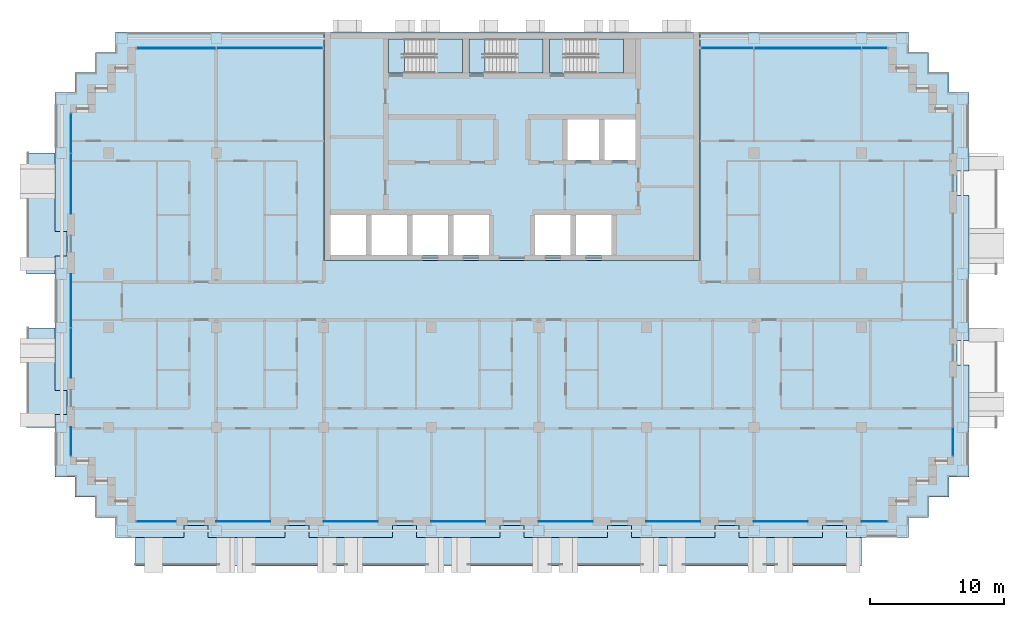
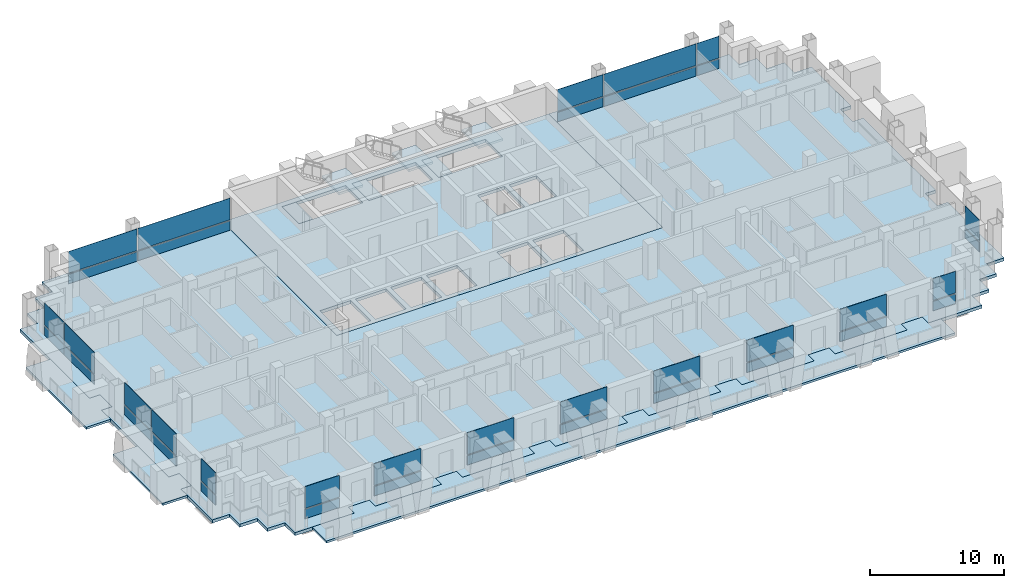
# One storey, part 6 of 18: 38 plates, 11 slabs, 17 elements without a shape of their own.
"""IFC4 building model written with IfcOpenShell, lengths in metres."""

from ifc_helpers import new_model, si_unit, direction, frame, origin, origin_2d, place, context, subcontext, project, spatial, polyline, rectangle, outline, extrude, material, layer, layer_set, type_object, element, aggregate, save


model = new_model("IFC4")

# Units and contexts
model_context = context("Model", 3, precision=1e-05, world=origin(), true_north=direction((0.0, 1.0)))
body_context = subcontext(model_context, "Body", "Model", "MODEL_VIEW")
ifc_project = project(units=[si_unit("LENGTHUNIT", "METRE"), si_unit("AREAUNIT", "SQUARE_METRE"), si_unit("VOLUMEUNIT", "CUBIC_METRE"), si_unit("PLANEANGLEUNIT", "RADIAN"), si_unit("MASSUNIT", "GRAM", prefix="KILO")], contexts=[model_context])

# Site, building, storey
site_placement = place(None, origin())
site = spatial("IfcSite", under=ifc_project, at=site_placement, CompositionType="ELEMENT")
building_placement = place(site_placement, origin())
building = spatial("IfcBuilding", under=site, at=building_placement, Name="Vidyagriha Tower", CompositionType="ELEMENT")
storey_placement = place(building_placement, frame((0.0, 0.0, 126.199951171875)))
storey = spatial("IfcBuildingStorey", under=building, at=storey_placement, Name="L32", CompositionType="ELEMENT", Elevation=126.199951171875)

# Curtain wall, plates
ifc_material_1 = material(Name="Aluminium and glass curtain wall", Category="aluminium")
curtain_wall_type = type_object("IfcCurtainWallType", Name="Dwelling skin unitised curtain wall", PredefinedType="USERDEFINED", material=ifc_material_1)
curtain_wall_1_placement = place(storey_placement, origin())
curtain_wall_1 = element("IfcCurtainWall", 1, at=curtain_wall_1_placement, inside=storey, type_object=curtain_wall_type, Name="CW1 dwelling skin", ObjectType="UNITISED", PredefinedType="USERDEFINED")
ifc_material_2 = material(Name="Glass dark ceramic-fritted spandrel", Category="glass")
ifc_layer_1 = layer(ifc_material_2, 0.0400390625)
ifc_layer_set_1 = layer_set([ifc_layer_1], Name="Glass dark ceramic-fritted spandrel")
plate_type_1 = type_object("IfcPlateType", Name="Ceramic-fritted spandrel panel", PredefinedType="CURTAIN_PANEL", material=ifc_layer_set_1)
plate_1_placement = place(storey_placement, frame((26.982421875, 18.800048828125, 0.0), z_axis=(0.0, 0.0, 1.0), x_axis=(-1.0, 0.0, 0.0)))
plate_1 = element("IfcPlate", 2, at=plate_1_placement, type_object=plate_type_1, Name="CW1 panel 1.1", PredefinedType="CURTAIN_PANEL", context=body_context, shape_type="SweptSolid", body=[
    extrude(rectangle(XDim=1.89501953125, YDim=0.0400390625, at=origin_2d()), origin(), (0.0, 0.0, 1.0), 0.85009765625),
])
plate_2_placement = place(storey_placement, frame((16.017578125, 18.800048828125, 0.0), z_axis=(0.0, 0.0, 1.0), x_axis=(-1.0, 0.0, 0.0)))
plate_2 = element("IfcPlate", 3, at=plate_2_placement, type_object=plate_type_1, Name="CW1 panel 3.1", PredefinedType="CURTAIN_PANEL", context=body_context, shape_type="SweptSolid", body=[
    extrude(rectangle(XDim=3.89501953125, YDim=0.0400390625, at=origin_2d()), origin(), (0.0, 0.0, 1.0), 0.85009765625),
])

# Curtain wall, plate
curtain_wall_2_placement = place(storey_placement, origin())
curtain_wall_2 = element("IfcCurtainWall", 4, at=curtain_wall_2_placement, inside=storey, type_object=curtain_wall_type, Name="CW1 dwelling skin", ObjectType="UNITISED", PredefinedType="USERDEFINED")
plate_3_placement = place(storey_placement, frame((-18.017578125, 18.800048828125, 0.0), z_axis=(0.0, 0.0, 1.0), x_axis=(-1.0, 0.0, 0.0)))
plate_3 = element("IfcPlate", 5, at=plate_3_placement, type_object=plate_type_1, Name="CW1 panel 1.1", PredefinedType="CURTAIN_PANEL", context=body_context, shape_type="SweptSolid", body=[
    extrude(rectangle(XDim=7.89501953125, YDim=0.0400390625, at=origin_2d()), origin(), (0.0, 0.0, 1.0), 0.85009765625),
])

# Curtain wall, plates
curtain_wall_3_placement = place(storey_placement, origin())
curtain_wall_3 = element("IfcCurtainWall", 6, at=curtain_wall_3_placement, inside=storey, type_object=curtain_wall_type, Name="CW1 dwelling skin", ObjectType="UNITISED", PredefinedType="USERDEFINED")
plate_4_placement = place(storey_placement, frame((-32.800048828125, 12.482421875, 0.0), z_axis=(0.0, 0.0, 1.0), x_axis=(0.0, -1.0, 0.0)))
plate_4 = element("IfcPlate", 7, at=plate_4_placement, type_object=plate_type_1, Name="CW1 panel 1.1", PredefinedType="CURTAIN_PANEL", context=body_context, shape_type="SweptSolid", body=[
    extrude(rectangle(XDim=2.89501953125, YDim=0.0400390625, at=origin_2d()), origin(), (0.0, 0.0, 1.0), 0.85009765625),
])
plate_5_placement = place(storey_placement, frame((-32.800048828125, 8.732421875, 0.0), z_axis=(0.0, 0.0, 1.0), x_axis=(0.0, -1.0, 0.0)))
plate_5 = element("IfcPlate", 8, at=plate_5_placement, type_object=plate_type_1, Name="CW1 panel 2.1", PredefinedType="CURTAIN_PANEL", context=body_context, shape_type="SweptSolid", body=[
    extrude(rectangle(XDim=4.465087890625, YDim=0.0400390625, at=origin_2d()), origin(), (0.0, 0.0, 1.0), 0.85009765625),
])

# Curtain wall, plate
curtain_wall_4_placement = place(storey_placement, origin())
curtain_wall_4 = element("IfcCurtainWall", 9, at=curtain_wall_4_placement, inside=storey, type_object=curtain_wall_type, Name="CW1 dwelling skin", ObjectType="UNITISED", PredefinedType="USERDEFINED")
plate_6_placement = place(storey_placement, frame((-32.800048828125, -10.465087890625, 0.0), z_axis=(0.0, 0.0, 1.0), x_axis=(0.0, -1.0, 0.0)))
plate_6 = element("IfcPlate", 10, at=plate_6_placement, type_object=plate_type_1, Name="CW1 panel 1.1", PredefinedType="CURTAIN_PANEL", context=body_context, shape_type="SweptSolid", body=[
    extrude(rectangle(XDim=2.1298828125, YDim=0.0400390625, at=origin_2d()), origin(), (0.0, 0.0, 1.0), 0.85009765625),
])

curtain_wall_5_placement = place(storey_placement, origin())
curtain_wall_5 = element("IfcCurtainWall", 11, at=curtain_wall_5_placement, inside=storey, type_object=curtain_wall_type, Name="CW1 dwelling skin", ObjectType="UNITISED", PredefinedType="USERDEFINED")
plate_7_placement = place(storey_placement, frame((-26.465087890625, -16.39990234375, 0.0)))
plate_7 = element("IfcPlate", 12, at=plate_7_placement, type_object=plate_type_1, Name="CW1 panel 1.1", PredefinedType="CURTAIN_PANEL", context=body_context, shape_type="SweptSolid", body=[
    extrude(rectangle(XDim=2.929931640625, YDim=0.0400390625, at=origin_2d()), origin(), (0.0, 0.0, 1.0), 0.85009765625),
])

curtain_wall_6_placement = place(storey_placement, origin())
curtain_wall_6 = element("IfcCurtainWall", 13, at=curtain_wall_6_placement, inside=storey, type_object=curtain_wall_type, Name="CW1 dwelling skin", ObjectType="UNITISED", PredefinedType="USERDEFINED")
plate_8_placement = place(storey_placement, frame((-12.0, -16.39990234375, 0.0)))
plate_8 = element("IfcPlate", 14, at=plate_8_placement, type_object=plate_type_1, Name="CW1 panel 1.1", PredefinedType="CURTAIN_PANEL", context=body_context, shape_type="SweptSolid", body=[
    extrude(rectangle(XDim=4.0, YDim=0.0400390625, at=origin_2d()), origin(), (0.0, 0.0, 1.0), 0.85009765625),
])

curtain_wall_7_placement = place(storey_placement, origin())
curtain_wall_7 = element("IfcCurtainWall", 15, at=curtain_wall_7_placement, inside=storey, type_object=curtain_wall_type, Name="CW1 dwelling skin", ObjectType="UNITISED", PredefinedType="USERDEFINED")
plate_9_placement = place(storey_placement, frame((4.0, -16.39990234375, 0.0)))
plate_9 = element("IfcPlate", 16, at=plate_9_placement, type_object=plate_type_1, Name="CW1 panel 1.1", PredefinedType="CURTAIN_PANEL", context=body_context, shape_type="SweptSolid", body=[
    extrude(rectangle(XDim=4.0, YDim=0.0400390625, at=origin_2d()), origin(), (0.0, 0.0, 1.0), 0.85009765625),
])

curtain_wall_8_placement = place(storey_placement, origin())
curtain_wall_8 = element("IfcCurtainWall", 17, at=curtain_wall_8_placement, inside=storey, type_object=curtain_wall_type, Name="CW1 dwelling skin", ObjectType="UNITISED", PredefinedType="USERDEFINED")
plate_10_placement = place(storey_placement, frame((20.0, -16.39990234375, 0.0)))
plate_10 = element("IfcPlate", 18, at=plate_10_placement, type_object=plate_type_1, Name="CW1 panel 1.1", PredefinedType="CURTAIN_PANEL", context=body_context, shape_type="SweptSolid", body=[
    extrude(rectangle(XDim=4.0, YDim=0.0400390625, at=origin_2d()), origin(), (0.0, 0.0, 1.0), 0.85009765625),
])

curtain_wall_9_placement = place(storey_placement, origin())
curtain_wall_9 = element("IfcCurtainWall", 19, at=curtain_wall_9_placement, inside=storey, type_object=curtain_wall_type, Name="CW1 dwelling skin", ObjectType="UNITISED", PredefinedType="USERDEFINED")
plate_11_placement = place(storey_placement, frame((26.965087890625, -16.39990234375, 0.0)))
plate_11 = element("IfcPlate", 20, at=plate_11_placement, type_object=plate_type_1, Name="CW1 panel 1.1", PredefinedType="CURTAIN_PANEL", context=body_context, shape_type="SweptSolid", body=[
    extrude(rectangle(XDim=1.929931640625, YDim=0.0400390625, at=origin_2d()), origin(), (0.0, 0.0, 1.0), 0.85009765625),
])

curtain_wall_10_placement = place(storey_placement, origin())
curtain_wall_10 = element("IfcCurtainWall", 21, at=curtain_wall_10_placement, inside=storey, type_object=curtain_wall_type, Name="CW1 dwelling skin", ObjectType="UNITISED", PredefinedType="USERDEFINED")
plate_12_placement = place(storey_placement, frame((32.800048828125, -10.482421875, 0.0), z_axis=(0.0, 0.0, 1.0), x_axis=(0.0, 1.0, 0.0)))
plate_12 = element("IfcPlate", 22, at=plate_12_placement, type_object=plate_type_1, Name="CW1 panel 1.1", PredefinedType="CURTAIN_PANEL", context=body_context, shape_type="SweptSolid", body=[
    extrude(rectangle(XDim=2.094970703125, YDim=0.0400390625, at=origin_2d()), origin(), (0.0, 0.0, 1.0), 0.85009765625),
])

# Slab
ifc_material_3 = material(Name="Concrete C60/75", Category="concrete")
ifc_layer_2 = layer(ifc_material_3, 0.280029296875)
ifc_layer_set_2 = layer_set([ifc_layer_2], Name="Concrete C60/75")
slab_type_1 = type_object("IfcSlabType", Name="Core floor slab 280 mm", PredefinedType="FLOOR", material=ifc_layer_set_2)
slab_1_placement = place(storey_placement, frame((0.0, 0.0, -0.280029296875)))
element("IfcSlab", 23, at=slab_1_placement, inside=storey, type_object=slab_type_1, Name="L32 core floor 1", PredefinedType="FLOOR", context=body_context, shape_type="SweptSolid", body=[
    extrude(outline(polyline([(-14.0, 3.0), (-14.0, 20.0), (14.0, 20.0), (14.0, 3.0), (-14.0, 3.0)]), holes=[polyline([(9.199951171875, 13.5), (6.86669921875, 13.5), (6.86669921875, 10.5), (9.199951171875, 10.5), (9.199951171875, 13.5)]), polyline([(4.0, 19.5), (2.800048828125, 19.5), (2.800048828125, 16.949951171875), (4.0, 16.949951171875), (8.300048828125, 16.949951171875), (8.300048828125, 19.5), (4.0, 19.5)]), polyline([(7.4111328125, 6.39990234375), (4.7666015625, 6.39990234375), (4.7666015625, 3.39990234375), (7.4111328125, 3.39990234375), (7.4111328125, 6.39990234375)]), polyline([(6.466796875, 13.5), (4.13330078125, 13.5), (4.13330078125, 10.5), (6.466796875, 10.5), (6.466796875, 13.5)]), polyline([(1.72216796875, 6.39990234375), (1.72216796875, 3.39990234375), (4.36669921875, 3.39990234375), (4.36669921875, 6.39990234375), (1.72216796875, 6.39990234375)]), polyline([(-2.0, 16.949951171875), (2.300048828125, 16.949951171875), (2.300048828125, 19.5), (-2.0, 19.5), (-3.199951171875, 19.5), (-3.199951171875, 16.949951171875), (-2.0, 16.949951171875)]), polyline([(-1.72216796875, 6.39990234375), (-4.36669921875, 6.39990234375), (-4.36669921875, 3.39990234375), (-1.72216796875, 3.39990234375), (-1.72216796875, 6.39990234375)]), polyline([(-8.0, 19.5), (-9.199951171875, 19.5), (-9.199951171875, 16.949951171875), (-8.0, 16.949951171875), (-3.699951171875, 16.949951171875), (-3.699951171875, 19.5), (-8.0, 19.5)]), polyline([(-4.7666015625, 6.39990234375), (-7.4111328125, 6.39990234375), (-7.4111328125, 3.39990234375), (-4.7666015625, 3.39990234375), (-4.7666015625, 6.39990234375)]), polyline([(-7.81103515625, 6.39990234375), (-10.45556640625, 6.39990234375), (-10.45556640625, 3.39990234375), (-7.81103515625, 3.39990234375), (-7.81103515625, 6.39990234375)]), polyline([(-13.5, 6.39990234375), (-13.5, 3.39990234375), (-10.855712890625, 3.39990234375), (-10.855712890625, 6.39990234375), (-13.5, 6.39990234375)])]), origin(), (0.0, 0.0, 1.0), 0.280029296875),
])

# Plate
ifc_material_4 = material(Name="Glass dark ceramic-fritted", Category="glass")
ifc_layer_3 = layer(ifc_material_4, 0.028076171875)
ifc_layer_set_3 = layer_set([ifc_layer_3], Name="Glass dark ceramic-fritted")
plate_type_2 = type_object("IfcPlateType", Name="Dark ceramic-fritted vision glass panel", PredefinedType="CURTAIN_PANEL", material=ifc_layer_set_3)
plate_13_placement = place(storey_placement, frame((26.982421875, 18.800048828125, 0.9501953125), z_axis=(0.0, 0.0, 1.0), x_axis=(-1.0, 0.0, 0.0)))
plate_13 = element("IfcPlate", 24, at=plate_13_placement, type_object=plate_type_2, Name="CW1 panel 1.2", PredefinedType="CURTAIN_PANEL", context=body_context, shape_type="SweptSolid", body=[
    extrude(rectangle(XDim=1.89501953125, YDim=0.028076171875, at=origin_2d()), origin(), (0.0, 0.0, 1.0), 1.969970703125),
])

plate_14_placement = place(storey_placement, frame((22.0, 18.800048828125, 0.9501953125), z_axis=(0.0, 0.0, 1.0), x_axis=(-1.0, 0.0, 0.0)))
plate_14 = element("IfcPlate", 25, at=plate_14_placement, type_object=plate_type_2, Name="CW1 panel 2.2", PredefinedType="CURTAIN_PANEL", context=body_context, shape_type="SweptSolid", body=[
    extrude(rectangle(XDim=7.929931640625, YDim=0.028076171875, at=origin_2d()), origin(), (0.0, 0.0, 1.0), 1.969970703125),
])

plate_15_placement = place(storey_placement, frame((16.017578125, 18.800048828125, 0.9501953125), z_axis=(0.0, 0.0, 1.0), x_axis=(-1.0, 0.0, 0.0)))
plate_15 = element("IfcPlate", 26, at=plate_15_placement, type_object=plate_type_2, Name="CW1 panel 3.2", PredefinedType="CURTAIN_PANEL", context=body_context, shape_type="SweptSolid", body=[
    extrude(rectangle(XDim=3.89501953125, YDim=0.028076171875, at=origin_2d()), origin(), (0.0, 0.0, 1.0), 1.969970703125),
])

plate_16_placement = place(storey_placement, frame((-18.017578125, 18.800048828125, 0.9501953125), z_axis=(0.0, 0.0, 1.0), x_axis=(-1.0, 0.0, 0.0)))
plate_16 = element("IfcPlate", 27, at=plate_16_placement, type_object=plate_type_2, Name="CW1 panel 1.2", PredefinedType="CURTAIN_PANEL", context=body_context, shape_type="SweptSolid", body=[
    extrude(rectangle(XDim=7.89501953125, YDim=0.028076171875, at=origin_2d()), origin(), (0.0, 0.0, 1.0), 1.969970703125),
])

plate_17_placement = place(storey_placement, frame((-24.982421875, 18.800048828125, 0.9501953125), z_axis=(0.0, 0.0, 1.0), x_axis=(-1.0, 0.0, 0.0)))
plate_17 = element("IfcPlate", 28, at=plate_17_placement, type_object=plate_type_2, Name="CW1 panel 2.2", PredefinedType="CURTAIN_PANEL", context=body_context, shape_type="SweptSolid", body=[
    extrude(rectangle(XDim=5.89501953125, YDim=0.028076171875, at=origin_2d()), origin(), (0.0, 0.0, 1.0), 1.969970703125),
])

plate_18_placement = place(storey_placement, frame((-32.800048828125, 12.482421875, 0.9501953125), z_axis=(0.0, 0.0, 1.0), x_axis=(0.0, -1.0, 0.0)))
plate_18 = element("IfcPlate", 29, at=plate_18_placement, type_object=plate_type_2, Name="CW1 panel 1.2", PredefinedType="CURTAIN_PANEL", context=body_context, shape_type="SweptSolid", body=[
    extrude(rectangle(XDim=2.89501953125, YDim=0.028076171875, at=origin_2d()), origin(), (0.0, 0.0, 1.0), 1.969970703125),
])

plate_19_placement = place(storey_placement, frame((-32.800048828125, 8.732421875, 0.9501953125), z_axis=(0.0, 0.0, 1.0), x_axis=(0.0, -1.0, 0.0)))
plate_19 = element("IfcPlate", 30, at=plate_19_placement, type_object=plate_type_2, Name="CW1 panel 2.2", PredefinedType="CURTAIN_PANEL", context=body_context, shape_type="SweptSolid", body=[
    extrude(rectangle(XDim=4.465087890625, YDim=0.028076171875, at=origin_2d()), origin(), (0.0, 0.0, 1.0), 1.969970703125),
])

aggregate(curtain_wall_3, [plate_4, plate_18, plate_5, plate_19])

# Curtain wall, plates
curtain_wall_11_placement = place(storey_placement, origin())
curtain_wall_11 = element("IfcCurtainWall", 31, at=curtain_wall_11_placement, inside=storey, type_object=curtain_wall_type, Name="CW1 dwelling skin", ObjectType="UNITISED", PredefinedType="USERDEFINED")
plate_20_placement = place(storey_placement, frame((-32.800048828125, 0.017578125, 0.9501953125), z_axis=(0.0, 0.0, 1.0), x_axis=(0.0, -1.0, 0.0)))
plate_20 = element("IfcPlate", 32, at=plate_20_placement, type_object=plate_type_2, Name="CW1 panel 1.2", PredefinedType="CURTAIN_PANEL", context=body_context, shape_type="SweptSolid", body=[
    extrude(rectangle(XDim=3.965087890625, YDim=0.028076171875, at=origin_2d()), origin(), (0.0, 0.0, 1.0), 1.969970703125),
])
plate_21_placement = place(storey_placement, frame((-32.800048828125, -3.867431640625, 0.9501953125), z_axis=(0.0, 0.0, 1.0), x_axis=(0.0, -1.0, 0.0)))
plate_21 = element("IfcPlate", 33, at=plate_21_placement, type_object=plate_type_2, Name="CW1 panel 2.2", PredefinedType="CURTAIN_PANEL", context=body_context, shape_type="SweptSolid", body=[
    extrude(rectangle(XDim=3.6650390625, YDim=0.028076171875, at=origin_2d()), origin(), (0.0, 0.0, 1.0), 1.969970703125),
])

# Plate
plate_22_placement = place(storey_placement, frame((-32.800048828125, -10.465087890625, 0.9501953125), z_axis=(0.0, 0.0, 1.0), x_axis=(0.0, -1.0, 0.0)))
plate_22 = element("IfcPlate", 34, at=plate_22_placement, type_object=plate_type_2, Name="CW1 panel 1.2", PredefinedType="CURTAIN_PANEL", context=body_context, shape_type="SweptSolid", body=[
    extrude(rectangle(XDim=2.1298828125, YDim=0.028076171875, at=origin_2d()), origin(), (0.0, 0.0, 1.0), 1.969970703125),
])

aggregate(curtain_wall_4, [plate_6, plate_22])

plate_23_placement = place(storey_placement, frame((-26.465087890625, -16.39990234375, 0.9501953125)))
plate_23 = element("IfcPlate", 35, at=plate_23_placement, type_object=plate_type_2, Name="CW1 panel 1.2", PredefinedType="CURTAIN_PANEL", context=body_context, shape_type="SweptSolid", body=[
    extrude(rectangle(XDim=2.929931640625, YDim=0.028076171875, at=origin_2d()), origin(), (0.0, 0.0, 1.0), 1.969970703125),
])

aggregate(curtain_wall_5, [plate_7, plate_23])

# Curtain wall, plate
curtain_wall_12_placement = place(storey_placement, origin())
curtain_wall_12 = element("IfcCurtainWall", 36, at=curtain_wall_12_placement, inside=storey, type_object=curtain_wall_type, Name="CW1 dwelling skin", ObjectType="UNITISED", PredefinedType="USERDEFINED")
plate_24_placement = place(storey_placement, frame((-20.0, -16.39990234375, 0.9501953125)))
plate_24 = element("IfcPlate", 37, at=plate_24_placement, type_object=plate_type_2, Name="CW1 panel 1.2", PredefinedType="CURTAIN_PANEL", context=body_context, shape_type="SweptSolid", body=[
    extrude(rectangle(XDim=4.0, YDim=0.028076171875, at=origin_2d()), origin(), (0.0, 0.0, 1.0), 1.969970703125),
])

# Plate
plate_25_placement = place(storey_placement, frame((-12.0, -16.39990234375, 0.9501953125)))
plate_25 = element("IfcPlate", 38, at=plate_25_placement, type_object=plate_type_2, Name="CW1 panel 1.2", PredefinedType="CURTAIN_PANEL", context=body_context, shape_type="SweptSolid", body=[
    extrude(rectangle(XDim=4.0, YDim=0.028076171875, at=origin_2d()), origin(), (0.0, 0.0, 1.0), 1.969970703125),
])

aggregate(curtain_wall_6, [plate_8, plate_25])

# Curtain wall, plate
curtain_wall_13_placement = place(storey_placement, origin())
curtain_wall_13 = element("IfcCurtainWall", 39, at=curtain_wall_13_placement, inside=storey, type_object=curtain_wall_type, Name="CW1 dwelling skin", ObjectType="UNITISED", PredefinedType="USERDEFINED")
plate_26_placement = place(storey_placement, frame((-4.0, -16.39990234375, 0.9501953125)))
plate_26 = element("IfcPlate", 40, at=plate_26_placement, type_object=plate_type_2, Name="CW1 panel 1.2", PredefinedType="CURTAIN_PANEL", context=body_context, shape_type="SweptSolid", body=[
    extrude(rectangle(XDim=4.0, YDim=0.028076171875, at=origin_2d()), origin(), (0.0, 0.0, 1.0), 1.969970703125),
])

# Plate
plate_27_placement = place(storey_placement, frame((4.0, -16.39990234375, 0.9501953125)))
plate_27 = element("IfcPlate", 41, at=plate_27_placement, type_object=plate_type_2, Name="CW1 panel 1.2", PredefinedType="CURTAIN_PANEL", context=body_context, shape_type="SweptSolid", body=[
    extrude(rectangle(XDim=4.0, YDim=0.028076171875, at=origin_2d()), origin(), (0.0, 0.0, 1.0), 1.969970703125),
])

aggregate(curtain_wall_7, [plate_9, plate_27])

# Curtain wall, plate
curtain_wall_14_placement = place(storey_placement, origin())
curtain_wall_14 = element("IfcCurtainWall", 42, at=curtain_wall_14_placement, inside=storey, type_object=curtain_wall_type, Name="CW1 dwelling skin", ObjectType="UNITISED", PredefinedType="USERDEFINED")
plate_28_placement = place(storey_placement, frame((12.0, -16.39990234375, 0.9501953125)))
plate_28 = element("IfcPlate", 43, at=plate_28_placement, type_object=plate_type_2, Name="CW1 panel 1.2", PredefinedType="CURTAIN_PANEL", context=body_context, shape_type="SweptSolid", body=[
    extrude(rectangle(XDim=4.0, YDim=0.028076171875, at=origin_2d()), origin(), (0.0, 0.0, 1.0), 1.969970703125),
])

# Plate
plate_29_placement = place(storey_placement, frame((20.0, -16.39990234375, 0.9501953125)))
plate_29 = element("IfcPlate", 44, at=plate_29_placement, type_object=plate_type_2, Name="CW1 panel 1.2", PredefinedType="CURTAIN_PANEL", context=body_context, shape_type="SweptSolid", body=[
    extrude(rectangle(XDim=4.0, YDim=0.028076171875, at=origin_2d()), origin(), (0.0, 0.0, 1.0), 1.969970703125),
])

aggregate(curtain_wall_8, [plate_10, plate_29])

plate_30_placement = place(storey_placement, frame((26.965087890625, -16.39990234375, 0.9501953125)))
plate_30 = element("IfcPlate", 45, at=plate_30_placement, type_object=plate_type_2, Name="CW1 panel 1.2", PredefinedType="CURTAIN_PANEL", context=body_context, shape_type="SweptSolid", body=[
    extrude(rectangle(XDim=1.929931640625, YDim=0.028076171875, at=origin_2d()), origin(), (0.0, 0.0, 1.0), 1.969970703125),
])

aggregate(curtain_wall_9, [plate_11, plate_30])

plate_31_placement = place(storey_placement, frame((32.800048828125, -10.482421875, 0.9501953125), z_axis=(0.0, 0.0, 1.0), x_axis=(0.0, 1.0, 0.0)))
plate_31 = element("IfcPlate", 46, at=plate_31_placement, type_object=plate_type_2, Name="CW1 panel 1.2", PredefinedType="CURTAIN_PANEL", context=body_context, shape_type="SweptSolid", body=[
    extrude(rectangle(XDim=2.094970703125, YDim=0.028076171875, at=origin_2d()), origin(), (0.0, 0.0, 1.0), 1.969970703125),
])

aggregate(curtain_wall_10, [plate_12, plate_31])

# Slabs
ifc_material_5 = material(Name="Concrete C40/50", Category="concrete")
ifc_layer_4 = layer(ifc_material_5, 0.280029296875)
ifc_layer_set_4 = layer_set([ifc_layer_4], Name="Concrete C40/50")
slab_type_2 = type_object("IfcSlabType", Name="Exit stair floor landing 280 mm", PredefinedType="LANDING", material=ifc_layer_set_4)
slab_2_placement = place(storey_placement, frame((0.0, 0.0, -0.280029296875)))
element("IfcSlab", 47, at=slab_2_placement, inside=storey, type_object=slab_type_2, Name="ST1 floor landing L32", PredefinedType="LANDING", context=body_context, shape_type="SweptSolid", body=[
    extrude(outline(polyline([(-9.199951171875, 16.949951171875), (-8.0, 16.949951171875), (-8.0, 19.5), (-9.199951171875, 19.5), (-9.199951171875, 16.949951171875)])), origin(), (0.0, 0.0, 1.0), 0.280029296875),
])
slab_3_placement = place(storey_placement, frame((0.0, 0.0, -0.280029296875)))
element("IfcSlab", 48, at=slab_3_placement, inside=storey, type_object=slab_type_2, Name="ST2 floor landing L32", PredefinedType="LANDING", context=body_context, shape_type="SweptSolid", body=[
    extrude(outline(polyline([(-3.199951171875, 16.949951171875), (-2.0, 16.949951171875), (-2.0, 19.5), (-3.199951171875, 19.5), (-3.199951171875, 16.949951171875)])), origin(), (0.0, 0.0, 1.0), 0.280029296875),
])
slab_4_placement = place(storey_placement, frame((0.0, 0.0, -0.280029296875)))
element("IfcSlab", 49, at=slab_4_placement, inside=storey, type_object=slab_type_2, Name="ST3 floor landing L32", PredefinedType="LANDING", context=body_context, shape_type="SweptSolid", body=[
    extrude(outline(polyline([(2.800048828125, 16.949951171875), (4.0, 16.949951171875), (4.0, 19.5), (2.800048828125, 19.5), (2.800048828125, 16.949951171875)])), origin(), (0.0, 0.0, 1.0), 0.280029296875),
])

# Stair, slab
ifc_material_6 = material(Name="Concrete C40/50", Category="concrete")
stair_type = type_object("IfcStairType", Name="Exit stair, half-turn, precast flights", PredefinedType="HALF_TURN_STAIR", material=ifc_material_6)
stair_1_placement = place(storey_placement, origin())
stair_1 = element("IfcStair", 50, at=stair_1_placement, inside=storey, type_object=stair_type, Name="L32 Exit Stair ST1", PredefinedType="HALF_TURN_STAIR")
ifc_material_7 = material(Name="Concrete C40/50", Category="concrete")
ifc_layer_5 = layer(ifc_material_7, 0.199951171875)
ifc_layer_set_5 = layer_set([ifc_layer_5], Name="Concrete C40/50")
slab_type_3 = type_object("IfcSlabType", Name="Exit stair landing 200 mm", PredefinedType="LANDING", material=ifc_layer_set_5)
slab_5_placement = place(storey_placement, frame((0.0, 0.0, 1.400146484375)))
slab_5 = element("IfcSlab", 51, at=slab_5_placement, type_object=slab_type_3, Name="ST1 landing 1", PredefinedType="LANDING", context=body_context, shape_type="SweptSolid", body=[
    extrude(outline(polyline([(-5.760009765625, 16.949951171875), (-3.699951171875, 16.949951171875), (-3.699951171875, 19.5), (-5.760009765625, 19.5), (-5.760009765625, 16.949951171875)])), origin(), (0.0, 0.0, 1.0), 0.199951171875),
])
aggregate(stair_1, [slab_5])

stair_2_placement = place(storey_placement, origin())
stair_2 = element("IfcStair", 52, at=stair_2_placement, inside=storey, type_object=stair_type, Name="L32 Exit Stair ST2", PredefinedType="HALF_TURN_STAIR")
slab_6_placement = place(storey_placement, frame((0.0, 0.0, 1.400146484375)))
slab_6 = element("IfcSlab", 53, at=slab_6_placement, type_object=slab_type_3, Name="ST2 landing 1", PredefinedType="LANDING", context=body_context, shape_type="SweptSolid", body=[
    extrude(outline(polyline([(0.239990234375, 16.949951171875), (2.300048828125, 16.949951171875), (2.300048828125, 19.5), (0.239990234375, 19.5), (0.239990234375, 16.949951171875)])), origin(), (0.0, 0.0, 1.0), 0.199951171875),
])
aggregate(stair_2, [slab_6])

stair_3_placement = place(storey_placement, origin())
stair_3 = element("IfcStair", 54, at=stair_3_placement, inside=storey, type_object=stair_type, Name="L32 Exit Stair ST3", PredefinedType="HALF_TURN_STAIR")
slab_7_placement = place(storey_placement, frame((0.0, 0.0, 1.400146484375)))
slab_7 = element("IfcSlab", 55, at=slab_7_placement, type_object=slab_type_3, Name="ST3 landing 1", PredefinedType="LANDING", context=body_context, shape_type="SweptSolid", body=[
    extrude(outline(polyline([(6.239990234375, 16.949951171875), (8.300048828125, 16.949951171875), (8.300048828125, 19.5), (6.239990234375, 19.5), (6.239990234375, 16.949951171875)])), origin(), (0.0, 0.0, 1.0), 0.199951171875),
])
aggregate(stair_3, [slab_7])

# Plate
ifc_material_8 = material(Name="Aluminium black anodised", Category="aluminium")
ifc_layer_6 = layer(ifc_material_8, 0.06005859375)
ifc_layer_set_6 = layer_set([ifc_layer_6], Name="Aluminium black anodised")
plate_type_3 = type_object("IfcPlateType", Name="Operable black-metal vent panel", PredefinedType="CURTAIN_PANEL", material=ifc_layer_set_6)
plate_32_placement = place(storey_placement, frame((22.0, 18.800048828125, 0.0), z_axis=(0.0, 0.0, 1.0), x_axis=(-1.0, 0.0, 0.0)))
plate_32 = element("IfcPlate", 56, at=plate_32_placement, type_object=plate_type_3, Name="CW1 panel 2.1", PredefinedType="CURTAIN_PANEL", context=body_context, shape_type="SweptSolid", body=[
    extrude(rectangle(XDim=7.929931640625, YDim=0.06005859375, at=origin_2d()), origin(), (0.0, 0.0, 1.0), 0.85009765625),
])

aggregate(curtain_wall_1, [plate_1, plate_13, plate_32, plate_14, plate_2, plate_15])

plate_33_placement = place(storey_placement, frame((-24.982421875, 18.800048828125, 0.0), z_axis=(0.0, 0.0, 1.0), x_axis=(-1.0, 0.0, 0.0)))
plate_33 = element("IfcPlate", 57, at=plate_33_placement, type_object=plate_type_3, Name="CW1 panel 2.1", PredefinedType="CURTAIN_PANEL", context=body_context, shape_type="SweptSolid", body=[
    extrude(rectangle(XDim=5.89501953125, YDim=0.06005859375, at=origin_2d()), origin(), (0.0, 0.0, 1.0), 0.85009765625),
])

aggregate(curtain_wall_2, [plate_3, plate_16, plate_33, plate_17])

plate_34_placement = place(storey_placement, frame((-32.800048828125, 0.017578125, 0.0), z_axis=(0.0, 0.0, 1.0), x_axis=(0.0, -1.0, 0.0)))
plate_34 = element("IfcPlate", 58, at=plate_34_placement, type_object=plate_type_3, Name="CW1 panel 1.1", PredefinedType="CURTAIN_PANEL", context=body_context, shape_type="SweptSolid", body=[
    extrude(rectangle(XDim=3.965087890625, YDim=0.06005859375, at=origin_2d()), origin(), (0.0, 0.0, 1.0), 0.85009765625),
])

plate_35_placement = place(storey_placement, frame((-32.800048828125, -3.867431640625, 0.0), z_axis=(0.0, 0.0, 1.0), x_axis=(0.0, -1.0, 0.0)))
plate_35 = element("IfcPlate", 59, at=plate_35_placement, type_object=plate_type_3, Name="CW1 panel 2.1", PredefinedType="CURTAIN_PANEL", context=body_context, shape_type="SweptSolid", body=[
    extrude(rectangle(XDim=3.6650390625, YDim=0.06005859375, at=origin_2d()), origin(), (0.0, 0.0, 1.0), 0.85009765625),
])

aggregate(curtain_wall_11, [plate_34, plate_20, plate_35, plate_21])

plate_36_placement = place(storey_placement, frame((-20.0, -16.39990234375, 0.0)))
plate_36 = element("IfcPlate", 60, at=plate_36_placement, type_object=plate_type_3, Name="CW1 panel 1.1", PredefinedType="CURTAIN_PANEL", context=body_context, shape_type="SweptSolid", body=[
    extrude(rectangle(XDim=4.0, YDim=0.06005859375, at=origin_2d()), origin(), (0.0, 0.0, 1.0), 0.85009765625),
])

aggregate(curtain_wall_12, [plate_36, plate_24])

plate_37_placement = place(storey_placement, frame((-4.0, -16.39990234375, 0.0)))
plate_37 = element("IfcPlate", 61, at=plate_37_placement, type_object=plate_type_3, Name="CW1 panel 1.1", PredefinedType="CURTAIN_PANEL", context=body_context, shape_type="SweptSolid", body=[
    extrude(rectangle(XDim=4.0, YDim=0.06005859375, at=origin_2d()), origin(), (0.0, 0.0, 1.0), 0.85009765625),
])

aggregate(curtain_wall_13, [plate_37, plate_26])

plate_38_placement = place(storey_placement, frame((12.0, -16.39990234375, 0.0)))
plate_38 = element("IfcPlate", 62, at=plate_38_placement, type_object=plate_type_3, Name="CW1 panel 1.1", PredefinedType="CURTAIN_PANEL", context=body_context, shape_type="SweptSolid", body=[
    extrude(rectangle(XDim=4.0, YDim=0.06005859375, at=origin_2d()), origin(), (0.0, 0.0, 1.0), 0.85009765625),
])

aggregate(curtain_wall_14, [plate_38, plate_28])

# Slabs
ifc_material_9 = material(Name="Concrete C50/60", Category="concrete")
ifc_layer_7 = layer(ifc_material_9, 0.280029296875)
ifc_layer_set_7 = layer_set([ifc_layer_7], Name="Concrete C50/60")
slab_type_4 = type_object("IfcSlabType", Name="Post-tensioned flat plate 280", PredefinedType="FLOOR", material=ifc_layer_set_7)
slab_8_placement = place(storey_placement, frame((0.0, 0.0, -0.280029296875)))
element("IfcSlab", 63, at=slab_8_placement, inside=storey, type_object=slab_type_4, Name="st-slab-L32-1", PredefinedType="FLOOR", context=body_context, shape_type="SweptSolid", body=[
    extrude(outline(polyline([(32.5, -14.60009765625), (31.0, -14.60009765625), (31.0, -16.10009765625), (29.5, -16.10009765625), (29.5, -17.60009765625), (24.89990234375, -17.60009765625), (24.89990234375, -16.699951171875), (23.10009765625, -16.699951171875), (23.10009765625, -17.60009765625), (16.89990234375, -17.60009765625), (16.89990234375, -16.699951171875), (15.10009765625, -16.699951171875), (15.10009765625, -17.60009765625), (8.89990234375, -17.60009765625), (8.89990234375, -16.699951171875), (7.10009765625, -16.699951171875), (7.10009765625, -17.60009765625), (0.89990234375, -17.60009765625), (0.89990234375, -16.699951171875), (-0.89990234375, -16.699951171875), (-0.89990234375, -17.60009765625), (-7.10009765625, -17.60009765625), (-7.10009765625, -16.699951171875), (-8.89990234375, -16.699951171875), (-8.89990234375, -17.60009765625), (-15.10009765625, -17.60009765625), (-15.10009765625, -16.699951171875), (-16.89990234375, -16.699951171875), (-16.89990234375, -17.60009765625), (-22.60009765625, -17.60009765625), (-22.60009765625, -16.699951171875), (-24.39990234375, -16.699951171875), (-24.39990234375, -17.60009765625), (-29.5, -17.60009765625), (-29.5, -16.10009765625), (-31.0, -16.10009765625), (-31.0, -14.60009765625), (-32.5, -14.60009765625), (-32.5, -13.10009765625), (-34.0, -13.10009765625), (-34.0, -8.449951171875), (-33.10009765625, -8.449951171875), (-33.10009765625, -6.64990234375), (-34.0, -6.64990234375), (-34.0, 3.35009765625), (-33.10009765625, 3.35009765625), (-33.10009765625, 5.14990234375), (-34.0, 5.14990234375), (-34.0, 15.5), (-32.5, 15.5), (-32.5, 17.0), (-31.0, 17.0), (-31.0, 18.5), (-29.5, 18.5), (-29.5, 20.0), (-14.0, 20.0), (-14.0, 3.0), (14.0, 3.0), (14.0, 20.0), (29.5, 20.0), (29.5, 18.5), (31.0, 18.5), (31.0, 17.0), (32.5, 17.0), (32.5, 15.5), (34.0, 15.5), (34.0, 9.64990234375), (33.10009765625, 9.64990234375), (33.10009765625, 7.85009765625), (34.0, 7.85009765625), (34.0, -2.949951171875), (33.10009765625, -2.949951171875), (33.10009765625, -4.75), (34.0, -4.75), (34.0, -13.10009765625), (32.5, -13.10009765625), (32.5, -14.60009765625)])), origin(), (0.0, 0.0, 1.0), 0.280029296875),
])
ifc_material_10 = material(Name="Precast concrete C40/50", Category="concrete")
ifc_layer_8 = layer(ifc_material_10, 0.199951171875)
ifc_layer_set_8 = layer_set([ifc_layer_8], Name="Precast concrete C40/50")
slab_type_5 = type_object("IfcSlabType", Name="Precast balcony slab 200", PredefinedType="USERDEFINED", material=ifc_layer_set_8)
slab_9_placement = place(storey_placement, frame((0.0, 0.0, -0.199951171875)))
element("IfcSlab", 64, at=slab_9_placement, inside=storey, type_object=slab_type_5, Name="Balcony slab L32 R16.1-1", ObjectType="BALCONY", PredefinedType="USERDEFINED", context=body_context, shape_type="SweptSolid", body=[
    extrude(outline(polyline([(-33.10009765625, 3.35009765625), (-33.10009765625, 5.14990234375), (-34.0, 5.14990234375), (-34.0, 11.0), (-36.10009765625, 11.0), (-36.10009765625, 2.0), (-34.0, 2.0), (-34.0, 3.35009765625), (-33.10009765625, 3.35009765625)])), origin(), (0.0, 0.0, 1.0), 0.199951171875),
])
slab_10_placement = place(storey_placement, frame((0.0, 0.0, -0.199951171875)))
element("IfcSlab", 65, at=slab_10_placement, inside=storey, type_object=slab_type_5, Name="Balcony slab L32 R16.2-2", ObjectType="BALCONY", PredefinedType="USERDEFINED", context=body_context, shape_type="SweptSolid", body=[
    extrude(outline(polyline([(-33.10009765625, -8.449951171875), (-33.10009765625, -6.64990234375), (-34.0, -6.64990234375), (-34.0, -2.0), (-36.10009765625, -2.0), (-36.10009765625, -9.39990234375), (-34.0, -9.39990234375), (-34.0, -8.449951171875), (-33.10009765625, -8.449951171875)])), origin(), (0.0, 0.0, 1.0), 0.199951171875),
])
slab_11_placement = place(storey_placement, frame((0.0, 0.0, -0.199951171875)))
element("IfcSlab", 66, at=slab_11_placement, inside=storey, type_object=slab_type_5, Name="Balcony slab L32 R23.1-7", ObjectType="BALCONY", PredefinedType="USERDEFINED", context=body_context, shape_type="SweptSolid", body=[
    extrude(outline(polyline([(-22.60009765625, -16.699951171875), (-24.39990234375, -16.699951171875), (-24.39990234375, -17.60009765625), (-28.0, -17.60009765625), (-28.0, -19.699951171875), (26.0, -19.699951171875), (26.0, -17.60009765625), (24.89990234375, -17.60009765625), (24.89990234375, -16.699951171875), (23.10009765625, -16.699951171875), (23.10009765625, -17.60009765625), (16.89990234375, -17.60009765625), (16.89990234375, -16.699951171875), (15.10009765625, -16.699951171875), (15.10009765625, -17.60009765625), (8.89990234375, -17.60009765625), (8.89990234375, -16.699951171875), (7.10009765625, -16.699951171875), (7.10009765625, -17.60009765625), (0.89990234375, -17.60009765625), (0.89990234375, -16.699951171875), (-0.89990234375, -16.699951171875), (-0.89990234375, -17.60009765625), (-7.10009765625, -17.60009765625), (-7.10009765625, -16.699951171875), (-8.89990234375, -16.699951171875), (-8.89990234375, -17.60009765625), (-15.10009765625, -17.60009765625), (-15.10009765625, -16.699951171875), (-16.89990234375, -16.699951171875), (-16.89990234375, -17.60009765625), (-22.60009765625, -17.60009765625), (-22.60009765625, -16.699951171875)])), origin(), (0.0, 0.0, 1.0), 0.199951171875),
])

save(model, "model.ifc")
